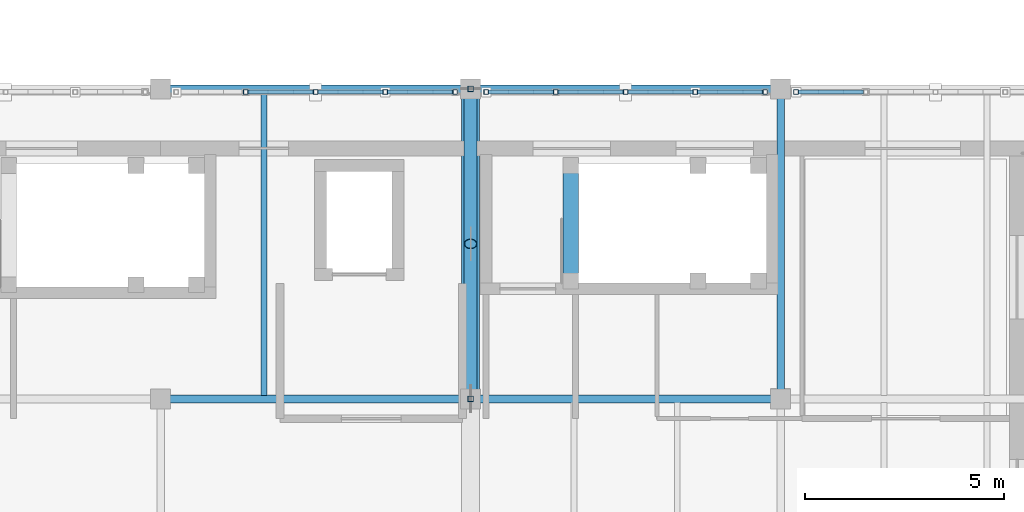
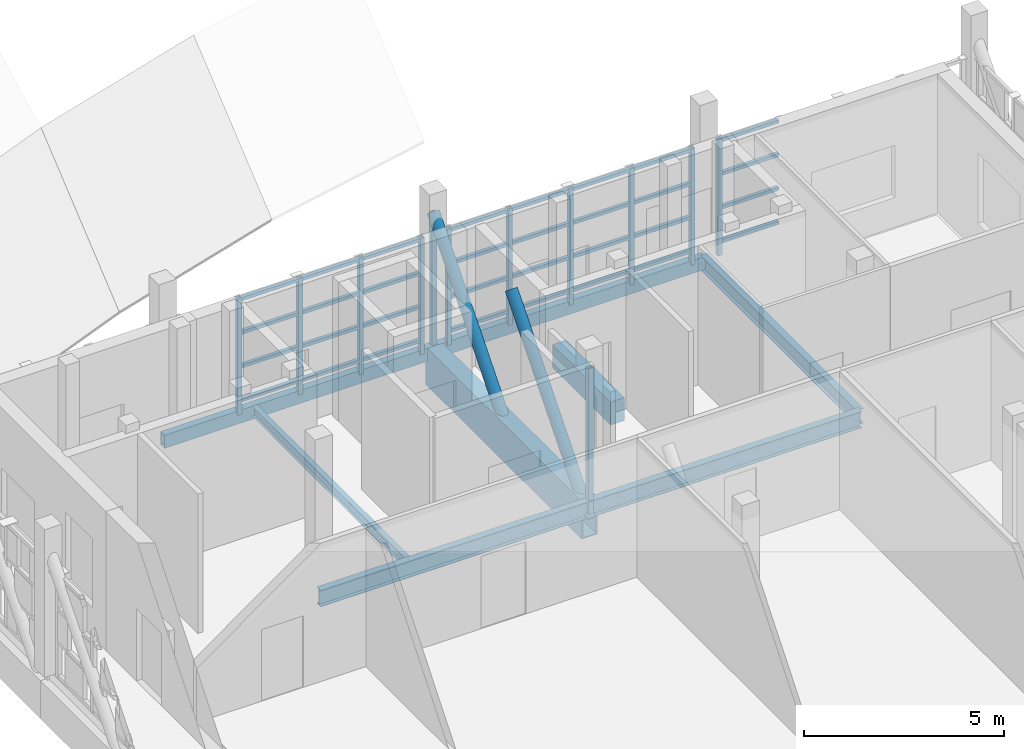
# One storey, part 31 of 89: 46 members, 8 beams.
"""IFC4 building model written with IfcOpenShell, lengths in metres."""

import ifcopenshell
import ifcopenshell.guid

model = None  # the IFC model being written
_history = None  # IfcOwnerHistory: only IFC2X3 demands one
_inside = {}  # id of a spatial element -> (the spatial element, [elements in it])
_under = {}  # id of a project, library or spatial element -> (it, [spatial elements below it])
_declared = {}  # id of a project -> (the project, [libraries it declares])
_typed = {}  # id of a type object -> (the type object, [elements of that type])
_made_of = {}  # id of a material, layer set ... -> (it, [elements and type objects made of it])


def new_model(schema):
    """Start an empty IFC model of exactly this schema.

    Asked for "IFC4X3", IfcOpenShell would pick the latest addendum, in which some entities
    have other attributes; the version numbers below select the first issue.
    IFC2X3 requires an IfcOwnerHistory on every rooted entity: one is made here for all.
    """
    global model, _history
    if schema == "IFC4X3":
        model = ifcopenshell.file(schema_version=(4, 3, 0, 0))
    else:
        model = ifcopenshell.file(schema=schema)
    _inside.clear()
    _under.clear()
    _declared.clear()
    _typed.clear()
    _made_of.clear()
    _history = None
    if model.schema == "IFC2X3":
        org = make("IfcOrganization", Name="unknown")
        user = make(
            "IfcPersonAndOrganization",
            ThePerson=make("IfcPerson", FamilyName="unknown"),
            TheOrganization=org,
        )
        app = make(
            "IfcApplication",
            ApplicationDeveloper=org,
            Version="unknown",
            ApplicationFullName="unknown",
            ApplicationIdentifier="unknown",
        )
        _history = make(
            "IfcOwnerHistory",
            OwningUser=user,
            OwningApplication=app,
            ChangeAction="ADDED",
            CreationDate=0,
        )
    return model


def make(cls, **values):
    """One entity of the class cls with the attributes given. An attribute that is None is left unset."""
    return model.create_entity(
        cls, **{name: value for name, value in values.items() if value is not None}
    )


def rooted(cls, **values):
    """An entity with a GlobalId (a new one), such as an element, a storey or a relation."""
    return make(cls, GlobalId=ifcopenshell.guid.new(), OwnerHistory=_history, **values)


def si_unit(unit_type, name, prefix=None):
    """IfcSIUnit, for example si_unit("LENGTHUNIT", "METRE", prefix="MILLI")."""
    return make("IfcSIUnit", UnitType=unit_type, Prefix=prefix, Name=name)


def assignment(units):
    """IfcUnitAssignment: the units of a project."""
    return None if units is None else make("IfcUnitAssignment", Units=units)


def point(xyz):
    """IfcCartesianPoint."""
    return None if xyz is None else make("IfcCartesianPoint", Coordinates=xyz)


def direction(xyz):
    """IfcDirection."""
    return None if xyz is None else make("IfcDirection", DirectionRatios=xyz)


def frame(location, z_axis=None, x_axis=None):
    """IfcAxis2Placement3D, a coordinate frame: its origin and axes. An axis left out is left unset."""
    return make(
        "IfcAxis2Placement3D",
        Location=point(location),
        Axis=direction(z_axis),
        RefDirection=direction(x_axis),
    )


def frame_2d(location, x_axis=None):
    """IfcAxis2Placement2D, a coordinate frame in the plane: its origin and x axis."""
    return make(
        "IfcAxis2Placement2D", Location=point(location), RefDirection=direction(x_axis)
    )


def origin():
    """The frame at (0, 0, 0) with its axes left unset."""
    return frame((0.0, 0.0, 0.0))


def origin_2d():
    """The frame at (0, 0) in the plane with its x axis left unset."""
    return frame_2d((0.0, 0.0))


def place(relative_to, where):
    """IfcLocalPlacement: puts the frame where relative to a parent placement (None: the world)."""
    return make(
        "IfcLocalPlacement", PlacementRelTo=relative_to, RelativePlacement=where
    )


def context(
    kind, dimensions, precision=None, world=None, true_north=None, identifier=None
):
    """IfcGeometricRepresentationContext, for example the 3D "Model" context."""
    return make(
        "IfcGeometricRepresentationContext",
        ContextIdentifier=identifier,
        ContextType=kind,
        CoordinateSpaceDimension=dimensions,
        Precision=precision,
        WorldCoordinateSystem=world,
        TrueNorth=true_north,
    )


def subcontext(parent, identifier, kind, view, scale=None):
    """IfcGeometricRepresentationSubContext, for example "Body" below "Model"."""
    return make(
        "IfcGeometricRepresentationSubContext",
        ContextIdentifier=identifier,
        ContextType=kind,
        ParentContext=parent,
        TargetScale=scale,
        TargetView=view,
    )


def project(units=None, contexts=None):
    """IfcProject with its units and contexts."""
    return rooted(
        "IfcProject",
        Name="project",
        RepresentationContexts=contexts,
        UnitsInContext=assignment(units),
    )


def spatial(cls, under=None, at=None, **own):
    """A site, building, storey or space (cls), placed at a placement, below another one or the project."""
    s = rooted(cls, ObjectPlacement=at, **own)
    if under is not None:
        _under.setdefault(under.id(), (under, []))[1].append(s)
    return s


def profile(cls, at=None, kind="AREA", **sizes):
    """A parametric profile (cls). Its sizes go by their IFC names, for example OverallWidth=200.0."""
    return make(cls, ProfileType=kind, Position=at, **sizes)


def rectangle(**sizes):
    """IfcRectangleProfileDef."""
    return profile("IfcRectangleProfileDef", **sizes)


def hollow_rectangle(**sizes):
    """IfcRectangleHollowProfileDef."""
    return profile("IfcRectangleHollowProfileDef", **sizes)


def hollow_circle(**sizes):
    """IfcCircleHollowProfileDef."""
    return profile("IfcCircleHollowProfileDef", **sizes)


def i_section(**sizes):
    """IfcIShapeProfileDef."""
    return profile("IfcIShapeProfileDef", **sizes)


def extrude(swept, where, along, depth):
    """IfcExtrudedAreaSolid: the profile swept, set in the frame where, extruded along a direction by depth."""
    return make(
        "IfcExtrudedAreaSolid",
        SweptArea=swept,
        Position=where,
        ExtrudedDirection=direction(along),
        Depth=depth,
    )


def shape(context_of_items, identifier, shape_type, items):
    """IfcShapeRepresentation: the items that make up one representation, for example the "Body"."""
    return make(
        "IfcShapeRepresentation",
        ContextOfItems=context_of_items,
        RepresentationIdentifier=identifier,
        RepresentationType=shape_type,
        Items=items,
    )


def material(Name=None, Category=None):
    """IfcMaterial."""
    return make("IfcMaterial", Name=Name, Category=Category)


def material_profile(
    of_material, cross_section, Name=None, Category=None, Priority=None
):
    """IfcMaterialProfile: a cross section and its material."""
    return make(
        "IfcMaterialProfile",
        Name=Name,
        Material=of_material,
        Profile=cross_section,
        Priority=Priority,
        Category=Category,
    )


def profile_set(profiles, Name=None, composite=None):
    """IfcMaterialProfileSet."""
    return make(
        "IfcMaterialProfileSet",
        Name=Name,
        MaterialProfiles=profiles,
        CompositeProfile=composite,
    )


def made_of(thing, what):
    """Note that an element or type object is made of a material, layer set ...; save() writes the relation."""
    if what is not None:
        _made_of.setdefault(what.id(), (what, []))[1].append(thing)
    return thing


def type_object(cls, material=None, **own):
    """A type object (cls), such as IfcWallType, which elements share."""
    return made_of(rooted(cls, **own), material)


def element(
    cls,
    number,
    at=None,
    inside=None,
    cuts=None,
    type_object=None,
    material=None,
    context=None,
    identifier="Body",
    shape_type=None,
    held_by="IfcProductDefinitionShape",
    body=None,
    shapes=None,
    **own,
):
    """One element of the class cls, such as IfcWall. Its Tag is "e" and its number.

    at: its placement. inside: the storey or other place that contains it. cuts: it is an
    opening in that element (IfcRelVoidsElement). A single representation is given by context,
    identifier, shape_type and body (its items); several are given by shapes. held_by: the class
    of the entity that holds the representations. save() writes the other relations.
    """
    e = rooted(cls, Tag="e%d" % number, ObjectPlacement=at, **own)
    if body is not None:
        shapes = [shape(context, identifier, shape_type, body)]
    if shapes is not None:
        e.Representation = make(held_by, Representations=shapes)
    if inside is not None:
        _inside.setdefault(inside.id(), (inside, []))[1].append(e)
    if cuts is not None:
        rooted(
            "IfcRelVoidsElement", RelatingBuildingElement=cuts, RelatedOpeningElement=e
        )
    if type_object is not None:
        _typed.setdefault(type_object.id(), (type_object, []))[1].append(e)
    return made_of(e, material)


def aggregate(whole, parts):
    """IfcRelAggregates: a whole, such as a stair, and the parts it consists of."""
    return rooted("IfcRelAggregates", RelatingObject=whole, RelatedObjects=parts)


def save(model, path):
    """Write the relations noted so far, then the file.

    IfcRelAggregates (storeys below a building ...), IfcRelContainedInSpatialStructure (elements
    in a storey), IfcRelDefinesByType, IfcRelAssociatesMaterial and IfcRelDeclares: one each for
    every whole, place, type object, material and project.
    """
    for whole, parts in _under.values():
        aggregate(whole, parts)
    for where, things in _inside.values():
        rooted(
            "IfcRelContainedInSpatialStructure",
            RelatedElements=things,
            RelatingStructure=where,
        )
    for kind, things in _typed.values():
        rooted("IfcRelDefinesByType", RelatedObjects=things, RelatingType=kind)
    for what, things in _made_of.values():
        rooted("IfcRelAssociatesMaterial", RelatedObjects=things, RelatingMaterial=what)
    for by, libraries in _declared.values():
        rooted("IfcRelDeclares", RelatingContext=by, RelatedDefinitions=libraries)
    model.write(path)


model = new_model("IFC4")

# Units and contexts
model_context = context("Model", 3, precision=1e-05, world=origin(), true_north=direction((0.0, 1.0)))
body_context = subcontext(model_context, "Body", "Model", "MODEL_VIEW")
ifc_project = project(units=[si_unit("LENGTHUNIT", "METRE"), si_unit("AREAUNIT", "SQUARE_METRE"), si_unit("VOLUMEUNIT", "CUBIC_METRE"), si_unit("PLANEANGLEUNIT", "RADIAN"), si_unit("MASSUNIT", "GRAM", prefix="KILO")], contexts=[model_context])

# Site, building, storey
site_placement = place(None, origin())
site = spatial("IfcSite", under=ifc_project, at=site_placement, CompositionType="ELEMENT")
building_placement = place(site_placement, origin())
building = spatial("IfcBuilding", under=site, at=building_placement, Name="Celorna Specialist Clinic", CompositionType="ELEMENT")
storey_placement = place(building_placement, frame((0.0, 0.0, 14.10009765625)))
storey = spatial("IfcBuildingStorey", under=building, at=storey_placement, Name="L03", CompositionType="ELEMENT", Elevation=14.10009765625)

# Beams
ifc_material_1 = material(Name="Steel S355", Category="steel")
ifc_material_profile_1 = material_profile(ifc_material_1, hollow_rectangle(XDim=0.449951171875, YDim=1.14990234375, WallThickness=0.031982421875, at=origin_2d()), Name="BOX 450x1150x32")
ifc_profile_set_1 = profile_set([ifc_material_profile_1], Name="Steel S355")
beam_type_1 = type_object("IfcBeamType", Name="BM-01", PredefinedType="BEAM", material=ifc_profile_set_1)
beam_1_placement = place(storey_placement, frame((70.199951171875, 35.10009765625, -0.835205078125), z_axis=(0.0, 1.0, 0.0), x_axis=(-1.0, 0.0, 0.0)))
element("IfcBeam", 1, at=beam_1_placement, inside=storey, type_object=beam_type_1, Name="Cantilever Pratt truss chord WP-042-WP-043", PredefinedType="BEAM", context=body_context, shape_type="SweptSolid", body=[
    extrude(hollow_rectangle(XDim=0.449951171875, YDim=1.14990234375, WallThickness=0.031982421875, at=origin_2d()), origin(), (0.0, 0.0, 1.0), 7.7998046875),
])
ifc_material_profile_2 = material_profile(ifc_material_1, i_section(OverallWidth=0.199951171875, OverallDepth=0.5, WebThickness=0.01025390625, FlangeThickness=0.01611328125, at=origin_2d()), Name="IPE 500")
ifc_profile_set_2 = profile_set([ifc_material_profile_2], Name="Steel S355")
beam_type_2 = type_object("IfcBeamType", Name="BM-08", PredefinedType="BEAM", material=ifc_profile_set_2)
for number, where, z_axis, x_axis, name in (
    (2, (62.39990234375, 35.10009765625, -0.510009765625), (1.0, 0.0, 0.0), (0.0, 1.0, 0.0), "Primary girder BM-08 #2167"),
    (3, (70.199951171875, 35.10009765625, -0.510009765625), (1.0, 0.0, 0.0), (0.0, 1.0, 0.0), "Primary girder BM-08 #2168"),
):
    element("IfcBeam", number, at=place(storey_placement, frame(where, z_axis=z_axis, x_axis=x_axis)), inside=storey, type_object=beam_type_2, Name=name, PredefinedType="BEAM", context=body_context, shape_type="SweptSolid", body=[
        extrude(i_section(OverallWidth=0.199951171875, OverallDepth=0.5, WebThickness=0.01025390625, FlangeThickness=0.01611328125, at=origin_2d()), origin(), (0.0, 0.0, 1.0), 7.800048828125),
    ])
ifc_material_profile_3 = material_profile(ifc_material_1, i_section(OverallWidth=0.18994140625, OverallDepth=0.449951171875, WebThickness=0.009521484375, FlangeThickness=0.0146484375, at=origin_2d()), Name="IPE 450")
ifc_profile_set_3 = profile_set([ifc_material_profile_3], Name="Steel S355")
beam_type_3 = type_object("IfcBeamType", Name="BM-09", PredefinedType="BEAM", material=ifc_profile_set_3)
beam_2_placement = place(storey_placement, frame((78.0, 35.10009765625, -0.485107421875), z_axis=(0.0, 1.0, 0.0), x_axis=(-1.0, 0.0, 0.0)))
element("IfcBeam", 4, at=beam_2_placement, inside=storey, type_object=beam_type_3, Name="Transverse girder BM-09 #2179", PredefinedType="BEAM", context=body_context, shape_type="SweptSolid", body=[
    extrude(i_section(OverallWidth=0.18994140625, OverallDepth=0.449951171875, WebThickness=0.009521484375, FlangeThickness=0.0146484375, at=origin_2d()), origin(), (0.0, 0.0, 1.0), 7.7998046875),
])
ifc_material_profile_4 = material_profile(ifc_material_1, i_section(OverallWidth=0.14990234375, OverallDepth=0.300048828125, WebThickness=0.007080078125, FlangeThickness=0.0107421875, at=origin_2d()), Name="IPE 300")
ifc_profile_set_4 = profile_set([ifc_material_profile_4], Name="Steel S355")
beam_type_4 = type_object("IfcBeamType", Name="BM-13", PredefinedType="JOIST", material=ifc_profile_set_4)
beam_3_placement = place(storey_placement, frame((65.0, 35.18798828125, -0.41015625), z_axis=(0.0, 1.0, 0.0), x_axis=(-1.0, 0.0, 0.0)))
element("IfcBeam", 5, at=beam_3_placement, inside=storey, type_object=beam_type_4, Name="Secondary floor joist BM-13 #2185", PredefinedType="JOIST", context=body_context, shape_type="SweptSolid", body=[
    extrude(i_section(OverallWidth=0.14990234375, OverallDepth=0.300048828125, WebThickness=0.007080078125, FlangeThickness=0.0107421875, at=origin_2d()), origin(), (0.0, 0.0, 1.0), 7.6240234375),
])
ifc_material_profile_5 = material_profile(ifc_material_1, hollow_rectangle(XDim=0.199951171875, YDim=0.39990234375, WallThickness=0.011962890625, at=origin_2d()), Name="RHS 200x400x12")
ifc_profile_set_5 = profile_set([ifc_material_profile_5], Name="Steel S355")
beam_type_5 = type_object("IfcBeamType", Name="BM-15", PredefinedType="SPANDREL", material=ifc_profile_set_5)
for number, where, z_axis, x_axis, name in (
    (6, (62.39990234375, 42.89990234375, -0.460205078125), (1.0, 0.0, 0.0), (0.0, 1.0, 0.0), "Spandrel beam BM-15 #2171"),
    (7, (70.199951171875, 42.89990234375, -0.460205078125), (1.0, 0.0, 0.0), (0.0, 1.0, 0.0), "Spandrel beam BM-15 #2172"),
):
    element("IfcBeam", number, at=place(storey_placement, frame(where, z_axis=z_axis, x_axis=x_axis)), inside=storey, type_object=beam_type_5, Name=name, PredefinedType="SPANDREL", context=body_context, shape_type="SweptSolid", body=[
        extrude(hollow_rectangle(XDim=0.199951171875, YDim=0.39990234375, WallThickness=0.011962890625, at=origin_2d()), origin(), (0.0, 0.0, 1.0), 7.800048828125),
    ])
ifc_material_2 = material(Name="Concrete C35/45", Category="concrete")
ifc_material_profile_6 = material_profile(ifc_material_2, rectangle(XDim=0.39990234375, YDim=0.699951171875, at=origin_2d()), Name="RC 400x700")
ifc_profile_set_6 = profile_set([ifc_material_profile_6], Name="Concrete C35/45")
beam_type_6 = type_object("IfcBeamType", Name="BM-19", PredefinedType="BEAM", material=ifc_profile_set_6)
beam_4_placement = place(storey_placement, frame((72.719970703125, 38.070068359375, -0.275146484375), z_axis=(0.0, 1.0, 0.0), x_axis=(-1.0, 0.0, 0.0)))
element("IfcBeam", 8, at=beam_4_placement, inside=storey, type_object=beam_type_6, Name="Stair ST-09 floor landing trimmer beam L03", PredefinedType="BEAM", context=body_context, shape_type="SweptSolid", body=[
    extrude(rectangle(XDim=0.39990234375, YDim=0.699951171875, at=origin_2d()), origin(), (0.0, 0.0, 1.0), 2.89990234375),
])

# Members
ifc_material_profile_7 = material_profile(ifc_material_1, hollow_circle(Radius=0.161865234375, WallThickness=0.01611328125, at=origin_2d()), Name="CHS 323.9x16")
ifc_profile_set_7 = profile_set([ifc_material_profile_7], Name="Steel S355")
member_type_1 = type_object("IfcMemberType", Name="MB-05", PredefinedType="BRACE", material=ifc_profile_set_7)
for number, where, z_axis, x_axis, name in (
    (9, (70.199951171875, 35.10009765625, -0.835205078125), (0.0, 0.64666784298, 0.762771722638), (-1.0, 0.0, 0.0), "Cantilever Pratt truss web diagonal WP-042-WP-064"),
    (10, (70.199951171875, 39.0, -0.835205078125), (0.0, 0.64666784298, 0.762771722638), (-1.0, 0.0, 0.0), "Cantilever Pratt truss web diagonal WP-057-WP-048"),
):
    element("IfcMember", number, at=place(storey_placement, frame(where, z_axis=z_axis, x_axis=x_axis)), inside=storey, type_object=member_type_1, Name=name, PredefinedType="BRACE", context=body_context, shape_type="SweptSolid", body=[
        extrude(hollow_circle(Radius=0.161865234375, WallThickness=0.01611328125, at=origin_2d()), origin(), (0.0, 0.0, 1.0), 6.03076171875),
    ])
ifc_material_profile_8 = material_profile(ifc_material_1, hollow_rectangle(XDim=0.139892578125, YDim=0.139892578125, WallThickness=0.008056640625, at=origin_2d()), Name="SHS 140x140x8")
ifc_profile_set_8 = profile_set([ifc_material_profile_8], Name="Steel S355")
member_type_2 = type_object("IfcMemberType", Name="MB-10", PredefinedType="CHORD", material=ifc_profile_set_8)
for number, where, z_axis, x_axis, name in (
    (11, (70.199951171875, 35.10009765625, -0.835205078125), (0.0, 0.0, 1.0), (1.0, 0.0, 0.0), "Cantilever Pratt truss vertical post WP-042-WP-047"),
    (12, (70.199951171875, 42.89990234375, -0.835205078125), (0.0, 0.0, 1.0), (1.0, 0.0, 0.0), "Cantilever Pratt truss vertical post WP-043-WP-048"),
):
    element("IfcMember", number, at=place(storey_placement, frame(where, z_axis=z_axis, x_axis=x_axis)), inside=storey, type_object=member_type_2, Name=name, PredefinedType="CHORD", context=body_context, shape_type="SweptSolid", body=[
        extrude(hollow_rectangle(XDim=0.139892578125, YDim=0.139892578125, WallThickness=0.008056640625, at=origin_2d()), origin(), (0.0, 0.0, 1.0), 4.60009765625),
    ])
ifc_material_profile_9 = material_profile(ifc_material_1, hollow_rectangle(XDim=0.1201171875, YDim=0.1201171875, WallThickness=0.008056640625, at=origin_2d()), Name="SHS 120x120x8")
ifc_profile_set_9 = profile_set([ifc_material_profile_9], Name="Steel S355")
member_type_3 = type_object("IfcMemberType", Name="MB-11", PredefinedType="STUD", material=ifc_profile_set_9)
for number, where, z_axis, x_axis, name in (
    (13, (64.544921875, 42.820068359375, -0.360107421875), (0.0, 0.0, 1.0), (1.0, 0.0, 0.0), "Perforated screen steel post #645"),
    (14, (66.300048828125, 42.820068359375, -0.360107421875), (0.0, 0.0, 1.0), (1.0, 0.0, 0.0), "Perforated screen steel post #646"),
    (15, (68.054931640625, 42.820068359375, -0.360107421875), (0.0, 0.0, 1.0), (1.0, 0.0, 0.0), "Perforated screen steel post #647"),
    (16, (69.81005859375, 42.820068359375, -0.360107421875), (0.0, 0.0, 1.0), (1.0, 0.0, 0.0), "Perforated screen steel post #648"),
    (17, (70.590087890625, 42.820068359375, -0.360107421875), (0.0, 0.0, 1.0), (1.0, 0.0, 0.0), "Perforated screen steel post #665"),
    (18, (72.344970703125, 42.820068359375, -0.360107421875), (0.0, 0.0, 1.0), (1.0, 0.0, 0.0), "Perforated screen steel post #666"),
    (19, (74.10009765625, 42.820068359375, -0.360107421875), (0.0, 0.0, 1.0), (1.0, 0.0, 0.0), "Perforated screen steel post #667"),
    (20, (75.85498046875, 42.820068359375, -0.360107421875), (0.0, 0.0, 1.0), (1.0, 0.0, 0.0), "Perforated screen steel post #668"),
    (21, (77.610107421875, 42.820068359375, -0.360107421875), (0.0, 0.0, 1.0), (1.0, 0.0, 0.0), "Perforated screen steel post #669"),
    (22, (78.389892578125, 42.820068359375, -0.360107421875), (0.0, 0.0, 1.0), (1.0, 0.0, 0.0), "Perforated screen steel post #686"),
):
    element("IfcMember", number, at=place(storey_placement, frame(where, z_axis=z_axis, x_axis=x_axis)), inside=storey, type_object=member_type_3, Name=name, PredefinedType="STUD", context=body_context, shape_type="SweptSolid", body=[
        extrude(hollow_rectangle(XDim=0.1201171875, YDim=0.1201171875, WallThickness=0.008056640625, at=origin_2d()), origin(), (0.0, 0.0, 1.0), 3.5400390625),
    ])
ifc_material_profile_10 = material_profile(ifc_material_1, hollow_rectangle(XDim=0.10009765625, YDim=0.10009765625, WallThickness=0.006103515625, at=origin_2d()), Name="SHS 100x100x6")
ifc_profile_set_10 = profile_set([ifc_material_profile_10], Name="Steel S355")
member_type_4 = type_object("IfcMemberType", Name="MB-12", PredefinedType="STUD", material=ifc_profile_set_10)
for number, where, z_axis, x_axis, name in (
    (23, (64.60498046875, 42.820068359375, 0.0498046875), (1.0, 0.0, 0.0), (0.0, 1.0, 0.0), "Perforated screen rail #653"),
    (24, (64.60498046875, 42.820068359375, 1.07666015625), (1.0, 0.0, 0.0), (0.0, 1.0, 0.0), "Perforated screen rail #654"),
    (25, (64.60498046875, 42.820068359375, 2.103271484375), (1.0, 0.0, 0.0), (0.0, 1.0, 0.0), "Perforated screen rail #655"),
    (26, (64.60498046875, 42.820068359375, 3.1298828125), (1.0, 0.0, 0.0), (0.0, 1.0, 0.0), "Perforated screen rail #656"),
    (27, (66.360107421875, 42.820068359375, 0.0498046875), (1.0, 0.0, 0.0), (0.0, 1.0, 0.0), "Perforated screen rail #657"),
    (28, (66.360107421875, 42.820068359375, 1.07666015625), (1.0, 0.0, 0.0), (0.0, 1.0, 0.0), "Perforated screen rail #658"),
    (29, (66.360107421875, 42.820068359375, 2.103271484375), (1.0, 0.0, 0.0), (0.0, 1.0, 0.0), "Perforated screen rail #659"),
    (30, (66.360107421875, 42.820068359375, 3.1298828125), (1.0, 0.0, 0.0), (0.0, 1.0, 0.0), "Perforated screen rail #660"),
    (31, (68.114990234375, 42.820068359375, 0.0498046875), (1.0, 0.0, 0.0), (0.0, 1.0, 0.0), "Perforated screen rail #661"),
    (32, (68.114990234375, 42.820068359375, 1.07666015625), (1.0, 0.0, 0.0), (0.0, 1.0, 0.0), "Perforated screen rail #662"),
    (33, (68.114990234375, 42.820068359375, 2.103271484375), (1.0, 0.0, 0.0), (0.0, 1.0, 0.0), "Perforated screen rail #663"),
    (34, (68.114990234375, 42.820068359375, 3.1298828125), (1.0, 0.0, 0.0), (0.0, 1.0, 0.0), "Perforated screen rail #664"),
    (35, (70.64990234375, 42.820068359375, 0.0498046875), (1.0, 0.0, 0.0), (0.0, 1.0, 0.0), "Perforated screen rail #670"),
    (36, (70.64990234375, 42.820068359375, 1.07666015625), (1.0, 0.0, 0.0), (0.0, 1.0, 0.0), "Perforated screen rail #671"),
    (37, (70.64990234375, 42.820068359375, 2.103271484375), (1.0, 0.0, 0.0), (0.0, 1.0, 0.0), "Perforated screen rail #672"),
    (38, (70.64990234375, 42.820068359375, 3.1298828125), (1.0, 0.0, 0.0), (0.0, 1.0, 0.0), "Perforated screen rail #673"),
    (39, (72.405029296875, 42.820068359375, 0.0498046875), (1.0, 0.0, 0.0), (0.0, 1.0, 0.0), "Perforated screen rail #674"),
    (40, (72.405029296875, 42.820068359375, 1.07666015625), (1.0, 0.0, 0.0), (0.0, 1.0, 0.0), "Perforated screen rail #675"),
    (41, (72.405029296875, 42.820068359375, 2.103271484375), (1.0, 0.0, 0.0), (0.0, 1.0, 0.0), "Perforated screen rail #676"),
    (42, (72.405029296875, 42.820068359375, 3.1298828125), (1.0, 0.0, 0.0), (0.0, 1.0, 0.0), "Perforated screen rail #677"),
    (43, (74.159912109375, 42.820068359375, 0.0498046875), (1.0, 0.0, 0.0), (0.0, 1.0, 0.0), "Perforated screen rail #678"),
    (44, (74.159912109375, 42.820068359375, 1.07666015625), (1.0, 0.0, 0.0), (0.0, 1.0, 0.0), "Perforated screen rail #679"),
    (45, (74.159912109375, 42.820068359375, 2.103271484375), (1.0, 0.0, 0.0), (0.0, 1.0, 0.0), "Perforated screen rail #680"),
    (46, (74.159912109375, 42.820068359375, 3.1298828125), (1.0, 0.0, 0.0), (0.0, 1.0, 0.0), "Perforated screen rail #681"),
    (47, (75.9150390625, 42.820068359375, 0.0498046875), (1.0, 0.0, 0.0), (0.0, 1.0, 0.0), "Perforated screen rail #682"),
    (48, (75.9150390625, 42.820068359375, 1.07666015625), (1.0, 0.0, 0.0), (0.0, 1.0, 0.0), "Perforated screen rail #683"),
    (49, (75.9150390625, 42.820068359375, 2.103271484375), (1.0, 0.0, 0.0), (0.0, 1.0, 0.0), "Perforated screen rail #684"),
    (50, (75.9150390625, 42.820068359375, 3.1298828125), (1.0, 0.0, 0.0), (0.0, 1.0, 0.0), "Perforated screen rail #685"),
    (51, (78.449951171875, 42.820068359375, 0.0498046875), (1.0, 0.0, 0.0), (0.0, 1.0, 0.0), "Perforated screen rail #691"),
    (52, (78.449951171875, 42.820068359375, 1.07666015625), (1.0, 0.0, 0.0), (0.0, 1.0, 0.0), "Perforated screen rail #692"),
    (53, (78.449951171875, 42.820068359375, 2.103271484375), (1.0, 0.0, 0.0), (0.0, 1.0, 0.0), "Perforated screen rail #693"),
    (54, (78.449951171875, 42.820068359375, 3.1298828125), (1.0, 0.0, 0.0), (0.0, 1.0, 0.0), "Perforated screen rail #694"),
):
    element("IfcMember", number, at=place(storey_placement, frame(where, z_axis=z_axis, x_axis=x_axis)), inside=storey, type_object=member_type_4, Name=name, PredefinedType="STUD", context=body_context, shape_type="SweptSolid", body=[
        extrude(hollow_rectangle(XDim=0.10009765625, YDim=0.10009765625, WallThickness=0.006103515625, at=origin_2d()), origin(), (0.0, 0.0, 1.0), 1.635009765625),
    ])

save(model, "model.ifc")
